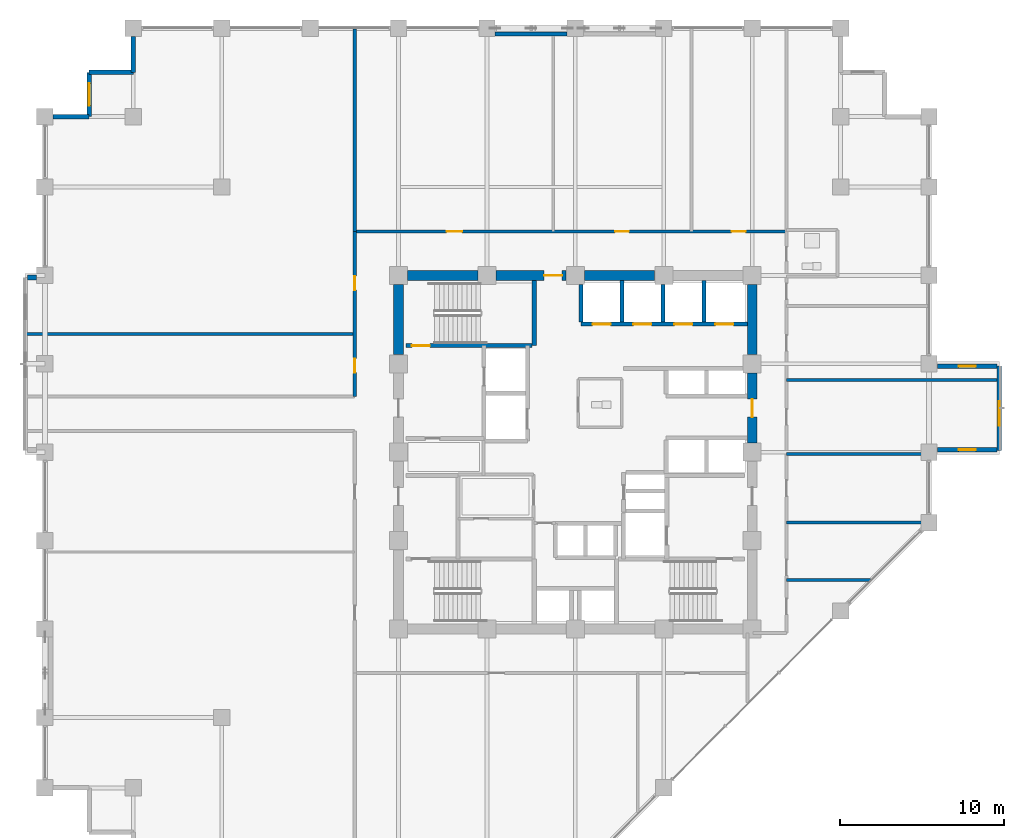
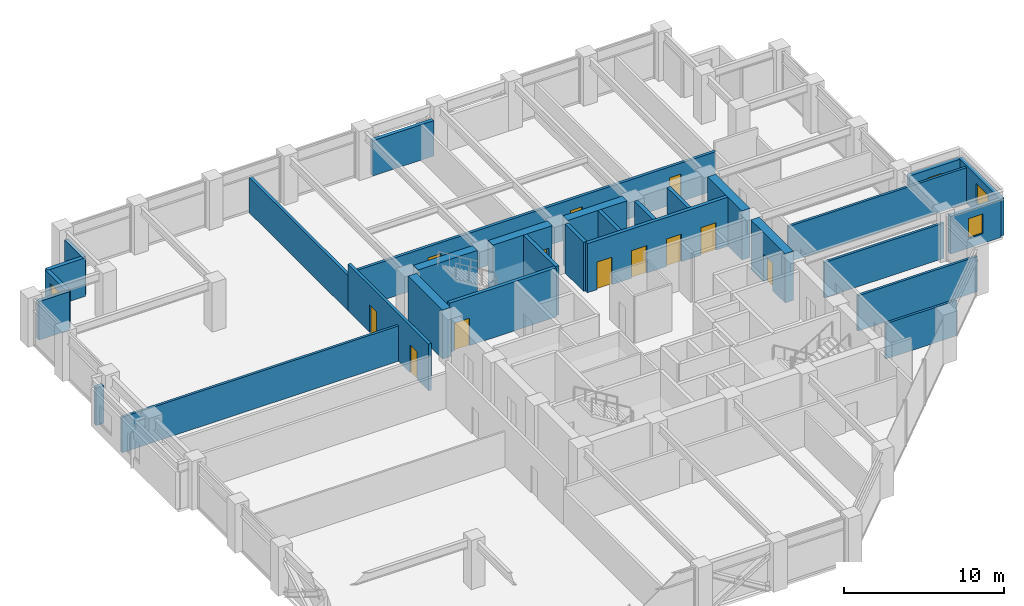
# One storey, part 20 of 25: 30 walls, 12 doors, 4 windows, 16 openings.
"""IFC4 building model written with IfcOpenShell, lengths in metres."""

from ifc_helpers import new_model, si_unit, direction, frame, frame_2d, origin, place, context, subcontext, project, spatial, rectangle, extrude, material, layer, layer_set, type_object, element, fill, save


model = new_model("IFC4")

# Units and contexts
model_context = context("Model", 3, precision=1e-05, world=origin(), true_north=direction((0.0, 1.0)))
body_context = subcontext(model_context, "Body", "Model", "MODEL_VIEW")
ifc_project = project(units=[si_unit("LENGTHUNIT", "METRE"), si_unit("AREAUNIT", "SQUARE_METRE"), si_unit("VOLUMEUNIT", "CUBIC_METRE"), si_unit("PLANEANGLEUNIT", "RADIAN"), si_unit("MASSUNIT", "GRAM", prefix="KILO")], contexts=[model_context])

# Site, building, storey
site_placement = place(None, origin())
site = spatial("IfcSite", under=ifc_project, at=site_placement, CompositionType="ELEMENT")
building_placement = place(site_placement, origin())
building = spatial("IfcBuilding", under=site, at=building_placement, Name="Surkhivell Harbour Commons", CompositionType="ELEMENT")
storey_placement = place(building_placement, frame((0.0, 0.0, 139.5)))
storey = spatial("IfcBuildingStorey", under=building, at=storey_placement, Name="L36", CompositionType="ELEMENT", Elevation=139.5)

# Wall
ifc_material_1 = material(Name="Concrete C60/75", Category="concrete")
ifc_layer_1 = layer(ifc_material_1, 0.60009765625)
ifc_layer_set_1 = layer_set([ifc_layer_1], Name="Concrete C60/75")
wall_type_1 = type_object("IfcWallType", Name="WAL-CORE-600", PredefinedType="SHEAR", material=ifc_layer_set_1)
wall_1_placement = place(storey_placement, frame((-10.239990234375, 10.800048828125, 0.0), z_axis=(0.0, 0.0, 1.0), x_axis=(1.0, 0.0, 0.0)))
element("IfcWall", 1, at=wall_1_placement, inside=storey, type_object=wall_type_1, Name="L36 Core Shear Wall North 1", PredefinedType="SHEAR", context=body_context, shape_type="SweptSolid", body=[
    extrude(rectangle(XDim=4.280029296875, YDim=0.60009765625, at=frame_2d((2.14013671875, 0.0))), origin(), (0.0, 0.0, 1.0), 3.75),
])

# Wall, opening, door
wall_2_placement = place(storey_placement, frame((-4.840087890625, 10.800048828125, 0.0), z_axis=(0.0, 0.0, 1.0), x_axis=(1.0, 0.0, 0.0)))
wall_2 = element("IfcWall", 2, at=wall_2_placement, inside=storey, type_object=wall_type_1, Name="L36 Core Shear Wall North 2", PredefinedType="SHEAR", context=body_context, shape_type="SweptSolid", body=[
    extrude(rectangle(XDim=4.280029296875, YDim=0.60009765625, at=frame_2d((2.14013671875, 0.0))), origin(), (0.0, 0.0, 1.0), 3.75),
])
opening_1_placement = place(wall_2_placement, frame((2.929931640625, 0.0, 0.0)))
opening_1 = element("IfcOpeningElement", 3, at=opening_1_placement, cuts=wall_2, Name="Opening ID-2", PredefinedType="OPENING", context=body_context, shape_type="SweptSolid", body=[
    extrude(rectangle(XDim=1.10009765625, YDim=2.10009765625, at=frame_2d((0.550048828125, 1.050048828125))), frame((0.0, 0.31005859375, 0.0), z_axis=(0.0, -1.0, 0.0), x_axis=(1.0, 0.0, 0.0)), (0.0, 0.0, 1.0), 0.6201171875),
])
ifc_material_2 = material(Name="Hardwood-veneered fire-rated door leaf", Category="wood")
door_type_1 = type_object("IfcDoorType", Name="DOR-FD60-1100", OperationType="NOTDEFINED", PredefinedType="DOOR", material=ifc_material_2)
door_1_placement = place(opening_1_placement, origin())
door_1 = element("IfcDoor", 4, at=door_1_placement, inside=storey, type_object=door_type_1, Name="L36 Central Core Lift Hall North Corridor Door", OperationType="SINGLE_SWING_LEFT", OverallHeight=2.10009765625, OverallWidth=1.10009765625, PredefinedType="DOOR", context=body_context, shape_type="SweptSolid", body=[
    extrude(rectangle(XDim=1.10009765625, YDim=2.10009765625, at=frame_2d((0.550048828125, 1.050048828125))), frame((0.0, 0.02490234375, 0.0), z_axis=(0.0, -1.0, 0.0), x_axis=(1.0, 0.0, 0.0)), (0.0, 0.0, 1.0), 0.050048828125),
])
fill(opening_1, door_1)

# Wall
wall_3_placement = place(storey_placement, frame((0.56005859375, 10.800048828125, 0.0), z_axis=(0.0, 0.0, 1.0), x_axis=(1.0, 0.0, 0.0)))
element("IfcWall", 5, at=wall_3_placement, inside=storey, type_object=wall_type_1, Name="L36 Core Shear Wall North 3", PredefinedType="SHEAR", context=body_context, shape_type="SweptSolid", body=[
    extrude(rectangle(XDim=4.280029296875, YDim=0.60009765625, at=frame_2d((2.14013671875, 0.0))), origin(), (0.0, 0.0, 1.0), 3.75),
])

# Wall, opening, door
wall_4_placement = place(storey_placement, frame((10.800048828125, 0.56005859375, 0.0), z_axis=(0.0, 0.0, 1.0), x_axis=(0.0, 1.0, 0.0)))
wall_4 = element("IfcWall", 6, at=wall_4_placement, inside=storey, type_object=wall_type_1, Name="L36 Core Shear Wall East 3", PredefinedType="SHEAR", context=body_context, shape_type="SweptSolid", body=[
    extrude(rectangle(XDim=4.280029296875, YDim=0.60009765625, at=frame_2d((2.14013671875, 0.0))), origin(), (0.0, 0.0, 1.0), 3.75),
])
opening_2_placement = place(wall_4_placement, frame((1.590087890625, 0.0, 0.0)))
opening_2 = element("IfcOpeningElement", 7, at=opening_2_placement, cuts=wall_4, Name="Opening ID-2", PredefinedType="OPENING", context=body_context, shape_type="SweptSolid", body=[
    extrude(rectangle(XDim=1.10009765625, YDim=2.10009765625, at=frame_2d((0.550048828125, 1.050048828125))), frame((0.0, 0.31005859375, 0.0), z_axis=(0.0, -1.0, 0.0), x_axis=(1.0, 0.0, 0.0)), (0.0, 0.0, 1.0), 0.6201171875),
])
door_2_placement = place(opening_2_placement, origin())
door_2 = element("IfcDoor", 8, at=door_2_placement, inside=storey, type_object=door_type_1, Name="L36 Mid-Rise Lobby East Door", OperationType="SINGLE_SWING_LEFT", OverallHeight=2.10009765625, OverallWidth=1.10009765625, PredefinedType="DOOR", context=body_context, shape_type="SweptSolid", body=[
    extrude(rectangle(XDim=1.10009765625, YDim=2.10009765625, at=frame_2d((0.550048828125, 1.050048828125))), frame((0.0, 0.02490234375, 0.0), z_axis=(0.0, -1.0, 0.0), x_axis=(1.0, 0.0, 0.0)), (0.0, 0.0, 1.0), 0.050048828125),
])
fill(opening_2, door_2)

# Walls
for number, where, z_axis, x_axis, name in (
    (9, (-10.800048828125, 5.9599609375, 0.0), (0.0, 0.0, 1.0), (0.0, 1.0, 0.0), "L36 Core Shear Wall West 4"),
    (10, (10.800048828125, 5.9599609375, 0.0), (0.0, 0.0, 1.0), (0.0, 1.0, 0.0), "L36 Core Shear Wall East 4"),
):
    element("IfcWall", number, at=place(storey_placement, frame(where, z_axis=z_axis, x_axis=x_axis)), inside=storey, type_object=wall_type_1, Name=name, PredefinedType="SHEAR", context=body_context, shape_type="SweptSolid", body=[
        extrude(rectangle(XDim=4.280029296875, YDim=0.60009765625, at=frame_2d((2.14013671875, 0.0))), origin(), (0.0, 0.0, 1.0), 3.75),
    ])
ifc_material_3 = material(Name="Flemish-bond kiln brick and precast concrete C45/55", Category="masonry")
ifc_layer_2 = layer(ifc_material_3, 0.300048828125)
ifc_layer_set_2 = layer_set([ifc_layer_2], Name="Flemish-bond kiln brick and precast concrete C45/55")
wall_type_2 = type_object("IfcWallType", Name="WAL-EXT-BRK300", PredefinedType="STANDARD", material=ifc_layer_set_2)
wall_5_placement = place(storey_placement, frame((-33.4599609375, 10.659912109375, 0.0), z_axis=(0.0, 0.0, 1.0), x_axis=(1.0, 0.0, 0.0)))
element("IfcWall", 11, at=wall_5_placement, inside=storey, type_object=wall_type_2, Name="L36 Coloured Box Return Wall 02N", PredefinedType="STANDARD", context=body_context, shape_type="SweptSolid", body=[
    extrude(rectangle(XDim=0.555908203125, YDim=0.300048828125, at=frame_2d((0.27783203125, 0.0))), origin(), (0.0, 0.0, 1.0), 2.85693359375),
])
ifc_material_4 = material(Name="Pale-metal insulated precast concrete C45/55", Category="concrete")
ifc_layer_3 = layer(ifc_material_4, 0.260009765625)
ifc_layer_set_3 = layer_set([ifc_layer_3], Name="Pale-metal insulated precast concrete C45/55")
wall_type_3 = type_object("IfcWallType", Name="WAL-EXT-MTL260", PredefinedType="STANDARD", material=ifc_layer_set_3)
wall_6_placement = place(storey_placement, frame((-0.498046875, 25.5400390625, 0.0), z_axis=(0.0, 0.0, 1.0), x_axis=(-1.0, 0.0, 0.0)))
element("IfcWall", 12, at=wall_6_placement, inside=storey, type_object=wall_type_3, Name="L36 Braced-Bay Insulated Spandrel Backing N", PredefinedType="STANDARD", context=body_context, shape_type="SweptSolid", body=[
    extrude(rectangle(XDim=4.404052734375, YDim=0.260009765625, at=frame_2d((2.2021484375, 0.0))), origin(), (0.0, 0.0, 1.0), 2.698974609375),
])

# Wall, opening, window
ifc_material_5 = material(Name="Terracotta-clad reinforced concrete C45/55", Category="masonry")
ifc_layer_4 = layer(ifc_material_5, 0.280029296875)
ifc_layer_set_4 = layer_set([ifc_layer_4], Name="Terracotta-clad reinforced concrete C45/55")
wall_type_4 = type_object("IfcWallType", Name="WAL-EXT-TER280", PredefinedType="STANDARD", material=ifc_layer_set_4)
wall_7_placement = place(storey_placement, frame((25.89990234375, 0.1201171875, 0.0), z_axis=(0.0, 0.0, 1.0), x_axis=(0.0, 1.0, 0.0)))
wall_7 = element("IfcWall", 13, at=wall_7_placement, inside=storey, type_object=wall_type_4, Name="L36 Coloured Box Front Wall 01", PredefinedType="STANDARD", context=body_context, shape_type="SweptSolid", body=[
    extrude(rectangle(XDim=5.159912109375, YDim=0.280029296875, at=frame_2d((2.580078125, 0.0))), origin(), (0.0, 0.0, 1.0), 2.85693359375),
])
opening_3_placement = place(wall_7_placement, frame((1.485107421875, 0.0, 0.75)))
opening_3 = element("IfcOpeningElement", 14, at=opening_3_placement, cuts=wall_7, Name="Opening WN-13", PredefinedType="OPENING", context=body_context, shape_type="SweptSolid", body=[
    extrude(rectangle(XDim=1.5, YDim=1.5, at=frame_2d((0.75, 0.75))), frame((0.0, 0.14990234375, 0.0), z_axis=(0.0, -1.0, 0.0), x_axis=(1.0, 0.0, 0.0)), (0.0, 0.0, 1.0), 0.300048828125),
])
ifc_material_6 = material(Name="Thermal-break aluminium frame and double low-E glazing", Category="aluminium")
window_type_1 = type_object("IfcWindowType", Name="WIN-BOX-1500x1500", PartitioningType="SINGLE_PANEL", PredefinedType="WINDOW", material=ifc_material_6)
window_1_placement = place(opening_3_placement, origin())
window_1 = element("IfcWindow", 15, at=window_1_placement, inside=storey, type_object=window_type_1, Name="L36 Coloured Box Square Window 01-1", OverallHeight=1.5, OverallWidth=1.5, PartitioningType="SINGLE_PANEL", PredefinedType="WINDOW", context=body_context, shape_type="SweptSolid", body=[
    extrude(rectangle(XDim=1.5, YDim=1.5, at=frame_2d((0.75, 0.75))), frame((0.0, 0.030029296875, 0.0), z_axis=(0.0, -1.0, 0.0), x_axis=(1.0, 0.0, 0.0)), (0.0, 0.0, 1.0), 0.06005859375),
])
fill(opening_3, window_1)

wall_8_placement = place(storey_placement, frame((22.10400390625, 0.139892578125, 0.0), z_axis=(0.0, 0.0, 1.0), x_axis=(1.0, 0.0, 0.0)))
wall_8 = element("IfcWall", 16, at=wall_8_placement, inside=storey, type_object=wall_type_4, Name="L36 Coloured Box Return Wall 01S", PredefinedType="STANDARD", context=body_context, shape_type="SweptSolid", body=[
    extrude(rectangle(XDim=3.656005859375, YDim=0.280029296875, at=frame_2d((1.828125, 0.0))), origin(), (0.0, 0.0, 1.0), 2.85693359375),
])
opening_4_placement = place(wall_8_placement, frame((1.302978515625, 0.0, 0.75)))
opening_4 = element("IfcOpeningElement", 17, at=opening_4_placement, cuts=wall_8, Name="Opening WN-11", PredefinedType="OPENING", context=body_context, shape_type="SweptSolid", body=[
    extrude(rectangle(XDim=1.050048828125, YDim=1.5, at=frame_2d((0.52490234375, 0.75))), frame((0.0, 0.14990234375, 0.0), z_axis=(0.0, -1.0, 0.0), x_axis=(1.0, 0.0, 0.0)), (0.0, 0.0, 1.0), 0.300048828125),
])
window_type_2 = type_object("IfcWindowType", Name="WIN-SER-1050x1500", PartitioningType="SINGLE_PANEL", PredefinedType="WINDOW", material=ifc_material_6)
window_2_placement = place(opening_4_placement, origin())
window_2 = element("IfcWindow", 18, at=window_2_placement, inside=storey, type_object=window_type_2, Name="L36 Coloured Box Return Window 01S", OverallHeight=1.5, OverallWidth=1.050048828125, PartitioningType="SINGLE_PANEL", PredefinedType="WINDOW", context=body_context, shape_type="SweptSolid", body=[
    extrude(rectangle(XDim=1.050048828125, YDim=1.5, at=frame_2d((0.52490234375, 0.75))), frame((0.0, 0.030029296875, 0.0), z_axis=(0.0, -1.0, 0.0), x_axis=(1.0, 0.0, 0.0)), (0.0, 0.0, 1.0), 0.06005859375),
])
fill(opening_4, window_2)

wall_9_placement = place(storey_placement, frame((22.10400390625, 5.260009765625, 0.0), z_axis=(0.0, 0.0, 1.0), x_axis=(1.0, 0.0, 0.0)))
wall_9 = element("IfcWall", 19, at=wall_9_placement, inside=storey, type_object=wall_type_4, Name="L36 Coloured Box Return Wall 01N", PredefinedType="STANDARD", context=body_context, shape_type="SweptSolid", body=[
    extrude(rectangle(XDim=3.656005859375, YDim=0.280029296875, at=frame_2d((1.828125, 0.0))), origin(), (0.0, 0.0, 1.0), 2.85693359375),
])
opening_5_placement = place(wall_9_placement, frame((1.302978515625, 0.0, 0.75)))
opening_5 = element("IfcOpeningElement", 20, at=opening_5_placement, cuts=wall_9, Name="Opening WN-11", PredefinedType="OPENING", context=body_context, shape_type="SweptSolid", body=[
    extrude(rectangle(XDim=1.050048828125, YDim=1.5, at=frame_2d((0.52490234375, 0.75))), frame((0.0, 0.14990234375, 0.0), z_axis=(0.0, -1.0, 0.0), x_axis=(1.0, 0.0, 0.0)), (0.0, 0.0, 1.0), 0.300048828125),
])
window_3_placement = place(opening_5_placement, origin())
window_3 = element("IfcWindow", 21, at=window_3_placement, inside=storey, type_object=window_type_2, Name="L36 Coloured Box Return Window 01N", OverallHeight=1.5, OverallWidth=1.050048828125, PartitioningType="SINGLE_PANEL", PredefinedType="WINDOW", context=body_context, shape_type="SweptSolid", body=[
    extrude(rectangle(XDim=1.050048828125, YDim=1.5, at=frame_2d((0.52490234375, 0.75))), frame((0.0, 0.030029296875, 0.0), z_axis=(0.0, -1.0, 0.0), x_axis=(1.0, 0.0, 0.0)), (0.0, 0.0, 1.0), 0.06005859375),
])
fill(opening_5, window_3)

# Walls
wall_10_placement = place(storey_placement, frame((-27.0, 25.402099609375, 0.0), z_axis=(0.0, 0.0, 1.0), x_axis=(0.0, -1.0, 0.0)))
element("IfcWall", 22, at=wall_10_placement, inside=storey, type_object=wall_type_4, Name="L36 Serrated Corner Facade Wall 08", PredefinedType="STANDARD", context=body_context, shape_type="SweptSolid", body=[
    extrude(rectangle(XDim=2.2021484375, YDim=0.280029296875, at=frame_2d((1.10107421875, 0.0))), origin(), (0.0, 0.0, 1.0), 2.93310546875),
])
wall_11_placement = place(storey_placement, frame((-27.0, 23.199951171875, 0.0), z_axis=(0.0, 0.0, 1.0), x_axis=(-1.0, 0.0, 0.0)))
element("IfcWall", 23, at=wall_11_placement, inside=storey, type_object=wall_type_4, Name="L36 Serrated Corner Facade Wall 09", PredefinedType="STANDARD", context=body_context, shape_type="SweptSolid", body=[
    extrude(rectangle(XDim=2.699951171875, YDim=0.280029296875, at=frame_2d((1.35009765625, 0.0))), origin(), (0.0, 0.0, 1.0), 2.93310546875),
])

# Wall, opening, window
wall_12_placement = place(storey_placement, frame((-29.699951171875, 23.199951171875, 0.0), z_axis=(0.0, 0.0, 1.0), x_axis=(0.0, -1.0, 0.0)))
wall_12 = element("IfcWall", 24, at=wall_12_placement, inside=storey, type_object=wall_type_4, Name="L36 Serrated Corner Facade Wall 10", PredefinedType="STANDARD", context=body_context, shape_type="SweptSolid", body=[
    extrude(rectangle(XDim=2.699951171875, YDim=0.280029296875, at=frame_2d((1.35009765625, 0.0))), origin(), (0.0, 0.0, 1.0), 2.93310546875),
])
opening_6_placement = place(wall_12_placement, frame((0.675048828125, 0.0, 0.64990234375)))
opening_6 = element("IfcOpeningElement", 25, at=opening_6_placement, cuts=wall_12, Name="Opening WN-08", PredefinedType="OPENING", context=body_context, shape_type="SweptSolid", body=[
    extrude(rectangle(XDim=1.35009765625, YDim=1.64990234375, at=frame_2d((0.675048828125, 0.824951171875))), frame((0.0, 0.14990234375, 0.0), z_axis=(0.0, -1.0, 0.0), x_axis=(1.0, 0.0, 0.0)), (0.0, 0.0, 1.0), 0.300048828125),
])
window_type_3 = type_object("IfcWindowType", Name="WIN-SER-1350x1650", PartitioningType="SINGLE_PANEL", PredefinedType="WINDOW", material=ifc_material_6)
window_4_placement = place(opening_6_placement, origin())
window_4 = element("IfcWindow", 26, at=window_4_placement, inside=storey, type_object=window_type_3, Name="L36 Serrated Alcove Window 10", OverallHeight=1.64990234375, OverallWidth=1.35009765625, PartitioningType="SINGLE_PANEL", PredefinedType="WINDOW", context=body_context, shape_type="SweptSolid", body=[
    extrude(rectangle(XDim=1.35009765625, YDim=1.64990234375, at=frame_2d((0.675048828125, 0.824951171875))), frame((0.0, 0.030029296875, 0.0), z_axis=(0.0, -1.0, 0.0), x_axis=(1.0, 0.0, 0.0)), (0.0, 0.0, 1.0), 0.06005859375),
])
fill(opening_6, window_4)

# Walls
wall_13_placement = place(storey_placement, frame((-29.699951171875, 20.5, 0.0), z_axis=(0.0, 0.0, 1.0), x_axis=(-1.0, 0.0, 0.0)))
element("IfcWall", 27, at=wall_13_placement, inside=storey, type_object=wall_type_4, Name="L36 Serrated Corner Facade Wall 11", PredefinedType="STANDARD", context=body_context, shape_type="SweptSolid", body=[
    extrude(rectangle(XDim=2.2021484375, YDim=0.280029296875, at=frame_2d((1.10107421875, 0.0))), origin(), (0.0, 0.0, 1.0), 2.93310546875),
])
ifc_material_7 = material(Name="High-density acoustic blockwork fire partition", Category="masonry")
ifc_layer_5 = layer(ifc_material_7, 0.175048828125)
ifc_layer_set_5 = layer_set([ifc_layer_5], Name="High-density acoustic blockwork fire partition")
wall_type_5 = type_object("IfcWallType", Name="WAL-INT-175", PredefinedType="PARTITIONING", material=ifc_layer_set_5)
wall_14_placement = place(storey_placement, frame((12.89990234375, -4.2900390625, 0.0), z_axis=(0.0, 0.0, 1.0), x_axis=(1.0, 0.0, 0.0)))
element("IfcWall", 28, at=wall_14_placement, inside=storey, type_object=wall_type_5, Name="L36 East Partition BDP1", PredefinedType="PARTITIONING", context=body_context, shape_type="SweptSolid", body=[
    extrude(rectangle(XDim=8.625244140625, YDim=0.175048828125, at=frame_2d((4.3125, 0.0))), origin(), (0.0, 0.0, 1.0), 2.698974609375),
])
wall_15_placement = place(storey_placement, frame((12.89990234375, -0.10009765625, 0.0), z_axis=(0.0, 0.0, 1.0), x_axis=(1.0, 0.0, 0.0)))
element("IfcWall", 29, at=wall_15_placement, inside=storey, type_object=wall_type_5, Name="L36 East Partition BDP2", PredefinedType="PARTITIONING", context=body_context, shape_type="SweptSolid", body=[
    extrude(rectangle(XDim=8.64013671875, YDim=0.175048828125, at=frame_2d((4.320068359375, 0.0))), origin(), (0.0, 0.0, 1.0), 2.698974609375),
])
wall_16_placement = place(storey_placement, frame((12.89990234375, 4.409912109375, 0.0), z_axis=(0.0, 0.0, 1.0), x_axis=(1.0, 0.0, 0.0)))
element("IfcWall", 30, at=wall_16_placement, inside=storey, type_object=wall_type_5, Name="L36 East Partition BDP3", PredefinedType="PARTITIONING", context=body_context, shape_type="SweptSolid", body=[
    extrude(rectangle(XDim=12.940185546875, YDim=0.175048828125, at=frame_2d((6.47021484375, 0.0))), origin(), (0.0, 0.0, 1.0), 2.698974609375),
])
wall_17_placement = place(storey_placement, frame((12.89990234375, -7.800048828125, 0.0), z_axis=(0.0, 0.0, 1.0), x_axis=(1.0, 0.0, 0.0)))
element("IfcWall", 31, at=wall_17_placement, inside=storey, type_object=wall_type_5, Name="L36 East Partition PBOT", PredefinedType="PARTITIONING", context=body_context, shape_type="SweptSolid", body=[
    extrude(rectangle(XDim=5.115234375, YDim=0.175048828125, at=frame_2d((2.5576171875, 0.0))), origin(), (0.0, 0.0, 1.0), 2.698974609375),
])
wall_18_placement = place(storey_placement, frame((-33.5400390625, 7.22998046875, 0.0), z_axis=(0.0, 0.0, 1.0), x_axis=(1.0, 0.0, 0.0)))
element("IfcWall", 32, at=wall_18_placement, inside=storey, type_object=wall_type_5, Name="L36 North-West Partition P1", PredefinedType="PARTITIONING", context=body_context, shape_type="SweptSolid", body=[
    extrude(rectangle(XDim=20.06005859375, YDim=0.175048828125, at=frame_2d((10.030029296875, 0.0))), origin(), (0.0, 0.0, 1.0), 2.698974609375),
])
ifc_material_8 = material(Name="Autoclaved aerated concrete blockwork and fire plaster", Category="masonry")
ifc_layer_6 = layer(ifc_material_8, 0.199951171875)
ifc_layer_set_6 = layer_set([ifc_layer_6], Name="Autoclaved aerated concrete blockwork and fire plaster")
wall_type_6 = type_object("IfcWallType", Name="WAL-INT-200", PredefinedType="PARTITIONING", material=ifc_layer_set_6)
wall_19_placement = place(storey_placement, frame((-13.47998046875, 13.47998046875, 0.0), z_axis=(0.0, 0.0, 1.0), x_axis=(0.0, 1.0, 0.0)))
element("IfcWall", 33, at=wall_19_placement, inside=storey, type_object=wall_type_6, Name="L36 North-West Wing Corner Divider", PredefinedType="PARTITIONING", context=body_context, shape_type="SweptSolid", body=[
    extrude(rectangle(XDim=12.360107421875, YDim=0.199951171875, at=frame_2d((6.18017578125, 0.0))), origin(), (0.0, 0.0, 1.0), 2.698974609375),
])

# Wall, openings, doors
wall_20_placement = place(storey_placement, frame((-13.47998046875, 13.47998046875, 0.0), z_axis=(0.0, 0.0, 1.0), x_axis=(1.0, 0.0, 0.0)))
wall_20 = element("IfcWall", 34, at=wall_20_placement, inside=storey, type_object=wall_type_6, Name="L36 Corridor North Wall", PredefinedType="PARTITIONING", context=body_context, shape_type="SweptSolid", body=[
    extrude(rectangle(XDim=26.3798828125, YDim=0.199951171875, at=frame_2d((13.18994140625, 0.0))), origin(), (0.0, 0.0, 1.0), 2.93310546875),
])
opening_7_placement = place(wall_20_placement, frame((5.614990234375, 0.0, 0.0)))
opening_7 = element("IfcOpeningElement", 35, at=opening_7_placement, cuts=wall_20, Name="Opening ID-4", PredefinedType="OPENING", context=body_context, shape_type="SweptSolid", body=[
    extrude(rectangle(XDim=0.949951171875, YDim=2.10009765625, at=frame_2d((0.47509765625, 1.050048828125))), frame((0.0, 0.10986328125, 0.0), z_axis=(0.0, -1.0, 0.0), x_axis=(1.0, 0.0, 0.0)), (0.0, 0.0, 1.0), 0.219970703125),
])
opening_8_placement = place(wall_20_placement, frame((15.905029296875, 0.0, 0.0)))
opening_8 = element("IfcOpeningElement", 36, at=opening_8_placement, cuts=wall_20, Name="Opening ID-6", PredefinedType="OPENING", context=body_context, shape_type="SweptSolid", body=[
    extrude(rectangle(XDim=0.85009765625, YDim=2.10009765625, at=frame_2d((0.425048828125, 1.050048828125))), frame((0.0, 0.10986328125, 0.0), z_axis=(0.0, -1.0, 0.0), x_axis=(1.0, 0.0, 0.0)), (0.0, 0.0, 1.0), 0.219970703125),
])
opening_9_placement = place(wall_20_placement, frame((23.030029296875, 0.0, 0.0)))
opening_9 = element("IfcOpeningElement", 37, at=opening_9_placement, cuts=wall_20, Name="Opening ID-6", PredefinedType="OPENING", context=body_context, shape_type="SweptSolid", body=[
    extrude(rectangle(XDim=0.85009765625, YDim=2.10009765625, at=frame_2d((0.425048828125, 1.050048828125))), frame((0.0, 0.10986328125, 0.0), z_axis=(0.0, -1.0, 0.0), x_axis=(1.0, 0.0, 0.0)), (0.0, 0.0, 1.0), 0.219970703125),
])
door_type_2 = type_object("IfcDoorType", Name="DOR-FD30-850", OperationType="NOTDEFINED", PredefinedType="DOOR", material=ifc_material_2)
door_3_placement = place(opening_8_placement, origin())
door_3 = element("IfcDoor", 38, at=door_3_placement, inside=storey, type_object=door_type_2, Name="L36 Harbour Social Lounge North Door", OperationType="SINGLE_SWING_LEFT", OverallHeight=2.10009765625, OverallWidth=0.85009765625, PredefinedType="DOOR", context=body_context, shape_type="SweptSolid", body=[
    extrude(rectangle(XDim=0.85009765625, YDim=2.10009765625, at=frame_2d((0.425048828125, 1.050048828125))), frame((0.0, 0.02490234375, 0.0), z_axis=(0.0, -1.0, 0.0), x_axis=(1.0, 0.0, 0.0)), (0.0, 0.0, 1.0), 0.050048828125),
])
fill(opening_8, door_3)
door_4_placement = place(opening_9_placement, origin())
door_4 = element("IfcDoor", 39, at=door_4_placement, inside=storey, type_object=door_type_2, Name="L36 Resident Social Lounge 3 North Door", OperationType="SINGLE_SWING_RIGHT", OverallHeight=2.10009765625, OverallWidth=0.85009765625, PredefinedType="DOOR", context=body_context, shape_type="SweptSolid", body=[
    extrude(rectangle(XDim=0.85009765625, YDim=2.10009765625, at=frame_2d((0.425048828125, 1.050048828125))), frame((0.0, 0.02490234375, 0.0), z_axis=(0.0, -1.0, 0.0), x_axis=(1.0, 0.0, 0.0)), (0.0, 0.0, 1.0), 0.050048828125),
])
fill(opening_9, door_4)
door_type_3 = type_object("IfcDoorType", Name="DOR-FD60-950", OperationType="NOTDEFINED", PredefinedType="DOOR", material=ifc_material_2)
door_5_placement = place(opening_7_placement, origin())
door_5 = element("IfcDoor", 40, at=door_5_placement, inside=storey, type_object=door_type_3, Name="L36 Harbour Social Lounge North Door", OperationType="SINGLE_SWING_RIGHT", OverallHeight=2.10009765625, OverallWidth=0.949951171875, PredefinedType="DOOR", context=body_context, shape_type="SweptSolid", body=[
    extrude(rectangle(XDim=0.949951171875, YDim=2.10009765625, at=frame_2d((0.47509765625, 1.050048828125))), frame((0.0, 0.02490234375, 0.0), z_axis=(0.0, -1.0, 0.0), x_axis=(1.0, 0.0, 0.0)), (0.0, 0.0, 1.0), 0.050048828125),
])
fill(opening_7, door_5)

wall_21_placement = place(storey_placement, frame((-13.47998046875, 3.39990234375, 0.0), z_axis=(0.0, 0.0, 1.0), x_axis=(0.0, 1.0, 0.0)))
wall_21 = element("IfcWall", 41, at=wall_21_placement, inside=storey, type_object=wall_type_6, Name="L36 Corridor West-Upper Wall", PredefinedType="PARTITIONING", context=body_context, shape_type="SweptSolid", body=[
    extrude(rectangle(XDim=10.080078125, YDim=0.199951171875, at=frame_2d((5.0400390625, 0.0))), origin(), (0.0, 0.0, 1.0), 3.570068359375),
])
opening_10_placement = place(wall_21_placement, frame((1.465087890625, 0.0, 0.0)))
opening_10 = element("IfcOpeningElement", 42, at=opening_10_placement, cuts=wall_21, Name="Opening ID-6", PredefinedType="OPENING", context=body_context, shape_type="SweptSolid", body=[
    extrude(rectangle(XDim=0.85009765625, YDim=2.10009765625, at=frame_2d((0.425048828125, 1.050048828125))), frame((0.0, 0.10986328125, 0.0), z_axis=(0.0, -1.0, 0.0), x_axis=(1.0, 0.0, 0.0)), (0.0, 0.0, 1.0), 0.219970703125),
])
opening_11_placement = place(wall_21_placement, frame((6.5048828125, 0.0, 0.0)))
opening_11 = element("IfcOpeningElement", 43, at=opening_11_placement, cuts=wall_21, Name="Opening ID-6", PredefinedType="OPENING", context=body_context, shape_type="SweptSolid", body=[
    extrude(rectangle(XDim=0.85009765625, YDim=2.10009765625, at=frame_2d((0.425048828125, 1.050048828125))), frame((0.0, 0.10986328125, 0.0), z_axis=(0.0, -1.0, 0.0), x_axis=(1.0, 0.0, 0.0)), (0.0, 0.0, 1.0), 0.219970703125),
])
door_6_placement = place(opening_10_placement, origin())
door_6 = element("IfcDoor", 44, at=door_6_placement, inside=storey, type_object=door_type_2, Name="L36 Harbour Reading Library North-West Door", OperationType="SINGLE_SWING_RIGHT", OverallHeight=2.10009765625, OverallWidth=0.85009765625, PredefinedType="DOOR", context=body_context, shape_type="SweptSolid", body=[
    extrude(rectangle(XDim=0.85009765625, YDim=2.10009765625, at=frame_2d((0.425048828125, 1.050048828125))), frame((0.0, 0.02490234375, 0.0), z_axis=(0.0, -1.0, 0.0), x_axis=(1.0, 0.0, 0.0)), (0.0, 0.0, 1.0), 0.050048828125),
])
fill(opening_10, door_6)
door_7_placement = place(opening_11_placement, origin())
door_7 = element("IfcDoor", 45, at=door_7_placement, inside=storey, type_object=door_type_2, Name="L36 Communal Dining Hall North-West Door", OperationType="SINGLE_SWING_LEFT", OverallHeight=2.10009765625, OverallWidth=0.85009765625, PredefinedType="DOOR", context=body_context, shape_type="SweptSolid", body=[
    extrude(rectangle(XDim=0.85009765625, YDim=2.10009765625, at=frame_2d((0.425048828125, 1.050048828125))), frame((0.0, 0.02490234375, 0.0), z_axis=(0.0, -1.0, 0.0), x_axis=(1.0, 0.0, 0.0)), (0.0, 0.0, 1.0), 0.050048828125),
])
fill(opening_11, door_7)

# Walls
ifc_material_9 = material(Name="Concrete C50/60", Category="concrete")
ifc_layer_7 = layer(ifc_material_9, 0.25)
ifc_layer_set_7 = layer_set([ifc_layer_7], Name="Concrete C50/60")
wall_type_7 = type_object("IfcWallType", Name="WAL-SHAFT-250", PredefinedType="SHEAR", material=ifc_layer_set_7)
wall_22_placement = place(storey_placement, frame((2.85009765625, 7.93994140625, 0.0), z_axis=(0.0, 0.0, 1.0), x_axis=(0.0, 1.0, 0.0)))
element("IfcWall", 46, at=wall_22_placement, inside=storey, type_object=wall_type_7, Name="L36 Low-Rise Hoistway Wall", PredefinedType="SHEAR", context=body_context, shape_type="SweptSolid", body=[
    extrude(rectangle(XDim=2.56005859375, YDim=0.25, at=frame_2d((1.280029296875, 0.0))), origin(), (0.0, 0.0, 1.0), 3.75),
])
for number, where, z_axis, x_axis, name in (
    (47, (0.35009765625, 7.93994140625, 0.0), (0.0, 0.0, 1.0), (0.0, 1.0, 0.0), "L36 Low-Rise Hoistway Wall"),
    (48, (5.35009765625, 7.93994140625, 0.0), (0.0, 0.0, 1.0), (0.0, 1.0, 0.0), "L36 Low-Rise Hoistway Wall"),
):
    element("IfcWall", number, at=place(storey_placement, frame(where, z_axis=z_axis, x_axis=x_axis)), inside=storey, type_object=wall_type_7, Name=name, PredefinedType="SHEAR", context=body_context, shape_type="SweptSolid", body=[
        extrude(rectangle(XDim=2.31005859375, YDim=0.25, at=frame_2d((1.155029296875, 0.0))), origin(), (0.0, 0.0, 1.0), 3.75),
    ])
wall_23_placement = place(storey_placement, frame((7.85009765625, 7.93994140625, 0.0), z_axis=(0.0, 0.0, 1.0), x_axis=(0.0, 1.0, 0.0)))
element("IfcWall", 49, at=wall_23_placement, inside=storey, type_object=wall_type_7, Name="L36 Low-Rise Hoistway Wall", PredefinedType="SHEAR", context=body_context, shape_type="SweptSolid", body=[
    extrude(rectangle(XDim=2.56005859375, YDim=0.25, at=frame_2d((1.280029296875, 0.0))), origin(), (0.0, 0.0, 1.0), 3.75),
])

# Wall, openings, doors
wall_24_placement = place(storey_placement, frame((0.35009765625, 7.820068359375, 0.0), z_axis=(0.0, 0.0, 1.0), x_axis=(1.0, 0.0, 0.0)))
wall_24 = element("IfcWall", 50, at=wall_24_placement, inside=storey, type_object=wall_type_7, Name="L36 Low-Rise Lift Front Shaft Wall", PredefinedType="SHEAR", context=body_context, shape_type="SweptSolid", body=[
    extrude(rectangle(XDim=10.14990234375, YDim=0.25, at=frame_2d((5.074951171875, 0.0))), origin(), (0.0, 0.0, 1.0), 3.75),
])
opening_12_placement = place(wall_24_placement, frame((0.699951171875, 0.0, 0.0)))
opening_12 = element("IfcOpeningElement", 51, at=opening_12_placement, cuts=wall_24, Name="Opening LD-1", PredefinedType="OPENING", context=body_context, shape_type="SweptSolid", body=[
    extrude(rectangle(XDim=1.10009765625, YDim=2.10009765625, at=frame_2d((0.550048828125, 1.050048828125))), frame((0.0, 0.135009765625, 0.0), z_axis=(0.0, -1.0, 0.0), x_axis=(1.0, 0.0, 0.0)), (0.0, 0.0, 1.0), 0.27001953125),
])
opening_13_placement = place(wall_24_placement, frame((3.199951171875, 0.0, 0.0)))
opening_13 = element("IfcOpeningElement", 52, at=opening_13_placement, cuts=wall_24, Name="Opening LD-1", PredefinedType="OPENING", context=body_context, shape_type="SweptSolid", body=[
    extrude(rectangle(XDim=1.10009765625, YDim=2.10009765625, at=frame_2d((0.550048828125, 1.050048828125))), frame((0.0, 0.135009765625, 0.0), z_axis=(0.0, -1.0, 0.0), x_axis=(1.0, 0.0, 0.0)), (0.0, 0.0, 1.0), 0.27001953125),
])
opening_14_placement = place(wall_24_placement, frame((5.699951171875, 0.0, 0.0)))
opening_14 = element("IfcOpeningElement", 53, at=opening_14_placement, cuts=wall_24, Name="Opening LD-1", PredefinedType="OPENING", context=body_context, shape_type="SweptSolid", body=[
    extrude(rectangle(XDim=1.10009765625, YDim=2.10009765625, at=frame_2d((0.550048828125, 1.050048828125))), frame((0.0, 0.135009765625, 0.0), z_axis=(0.0, -1.0, 0.0), x_axis=(1.0, 0.0, 0.0)), (0.0, 0.0, 1.0), 0.27001953125),
])
opening_15_placement = place(wall_24_placement, frame((8.199951171875, 0.0, 0.0)))
opening_15 = element("IfcOpeningElement", 54, at=opening_15_placement, cuts=wall_24, Name="Opening LD-1", PredefinedType="OPENING", context=body_context, shape_type="SweptSolid", body=[
    extrude(rectangle(XDim=1.10009765625, YDim=2.10009765625, at=frame_2d((0.550048828125, 1.050048828125))), frame((0.0, 0.135009765625, 0.0), z_axis=(0.0, -1.0, 0.0), x_axis=(1.0, 0.0, 0.0)), (0.0, 0.0, 1.0), 0.27001953125),
])
ifc_material_10 = material(Name="Brushed stainless steel S355", Category="steel")
door_type_4 = type_object("IfcDoorType", Name="DOR-LD-1100", OperationType="SLIDING_TO_LEFT", PredefinedType="DOOR", material=ifc_material_10)
door_8_placement = place(opening_12_placement, origin())
door_8 = element("IfcDoor", 55, at=door_8_placement, inside=storey, type_object=door_type_4, Name="L36 Lift Landing Door LD-PL1", OperationType="SLIDING_TO_LEFT", OverallHeight=2.10009765625, OverallWidth=1.10009765625, PredefinedType="DOOR", context=body_context, shape_type="SweptSolid", body=[
    extrude(rectangle(XDim=1.10009765625, YDim=2.10009765625, at=frame_2d((0.550048828125, 1.050048828125))), frame((0.0, 0.02490234375, 0.0), z_axis=(0.0, -1.0, 0.0), x_axis=(1.0, 0.0, 0.0)), (0.0, 0.0, 1.0), 0.050048828125),
])
fill(opening_12, door_8)
door_9_placement = place(opening_13_placement, origin())
door_9 = element("IfcDoor", 56, at=door_9_placement, inside=storey, type_object=door_type_4, Name="L36 Lift Landing Door LD-PL2", OperationType="SLIDING_TO_LEFT", OverallHeight=2.10009765625, OverallWidth=1.10009765625, PredefinedType="DOOR", context=body_context, shape_type="SweptSolid", body=[
    extrude(rectangle(XDim=1.10009765625, YDim=2.10009765625, at=frame_2d((0.550048828125, 1.050048828125))), frame((0.0, 0.02490234375, 0.0), z_axis=(0.0, -1.0, 0.0), x_axis=(1.0, 0.0, 0.0)), (0.0, 0.0, 1.0), 0.050048828125),
])
fill(opening_13, door_9)
door_10_placement = place(opening_14_placement, origin())
door_10 = element("IfcDoor", 57, at=door_10_placement, inside=storey, type_object=door_type_4, Name="L36 Lift Landing Door LD-PL3", OperationType="SLIDING_TO_LEFT", OverallHeight=2.10009765625, OverallWidth=1.10009765625, PredefinedType="DOOR", context=body_context, shape_type="SweptSolid", body=[
    extrude(rectangle(XDim=1.10009765625, YDim=2.10009765625, at=frame_2d((0.550048828125, 1.050048828125))), frame((0.0, 0.02490234375, 0.0), z_axis=(0.0, -1.0, 0.0), x_axis=(1.0, 0.0, 0.0)), (0.0, 0.0, 1.0), 0.050048828125),
])
fill(opening_14, door_10)
door_11_placement = place(opening_15_placement, origin())
door_11 = element("IfcDoor", 58, at=door_11_placement, inside=storey, type_object=door_type_4, Name="L36 Lift Landing Door LD-PL4", OperationType="SLIDING_TO_LEFT", OverallHeight=2.10009765625, OverallWidth=1.10009765625, PredefinedType="DOOR", context=body_context, shape_type="SweptSolid", body=[
    extrude(rectangle(XDim=1.10009765625, YDim=2.10009765625, at=frame_2d((0.550048828125, 1.050048828125))), frame((0.0, 0.02490234375, 0.0), z_axis=(0.0, -1.0, 0.0), x_axis=(1.0, 0.0, 0.0)), (0.0, 0.0, 1.0), 0.050048828125),
])
fill(opening_15, door_11)

# Wall
wall_25_placement = place(storey_placement, frame((-2.510009765625, 6.510009765625, 0.0), z_axis=(0.0, 0.0, 1.0), x_axis=(0.0, 1.0, 0.0)))
element("IfcWall", 59, at=wall_25_placement, inside=storey, type_object=wall_type_7, Name="L36 Stair ST1 East Shear Wall", PredefinedType="SHEAR", context=body_context, shape_type="SweptSolid", body=[
    extrude(rectangle(XDim=3.989990234375, YDim=0.25, at=frame_2d((1.9951171875, 0.0))), origin(), (0.0, 0.0, 1.0), 3.75),
])

# Wall, opening, door
wall_26_placement = place(storey_placement, frame((-10.340087890625, 6.510009765625, 0.0), z_axis=(0.0, 0.0, 1.0), x_axis=(1.0, 0.0, 0.0)))
wall_26 = element("IfcWall", 60, at=wall_26_placement, inside=storey, type_object=wall_type_7, Name="L36 Stair ST1 South Shear Wall", PredefinedType="SHEAR", context=body_context, shape_type="SweptSolid", body=[
    extrude(rectangle(XDim=7.7001953125, YDim=0.25, at=frame_2d((3.85009765625, 0.0))), origin(), (0.0, 0.0, 1.0), 3.75),
])
opening_16_placement = place(wall_26_placement, frame((0.35009765625, 0.0, 0.0)))
opening_16 = element("IfcOpeningElement", 61, at=opening_16_placement, cuts=wall_26, Name="Opening ID-2", PredefinedType="OPENING", context=body_context, shape_type="SweptSolid", body=[
    extrude(rectangle(XDim=1.10009765625, YDim=2.10009765625, at=frame_2d((0.550048828125, 1.050048828125))), frame((0.0, 0.135009765625, 0.0), z_axis=(0.0, -1.0, 0.0), x_axis=(1.0, 0.0, 0.0)), (0.0, 0.0, 1.0), 0.27001953125),
])
door_12_placement = place(opening_16_placement, origin())
door_12 = element("IfcDoor", 62, at=door_12_placement, inside=storey, type_object=door_type_1, Name="L36 Stair ST1 Exit Door", OperationType="SINGLE_SWING_LEFT", OverallHeight=2.10009765625, OverallWidth=1.10009765625, PredefinedType="DOOR", context=body_context, shape_type="SweptSolid", body=[
    extrude(rectangle(XDim=1.10009765625, YDim=2.10009765625, at=frame_2d((0.550048828125, 1.050048828125))), frame((0.0, 0.02490234375, 0.0), z_axis=(0.0, -1.0, 0.0), x_axis=(1.0, 0.0, 0.0)), (0.0, 0.0, 1.0), 0.050048828125),
])
fill(opening_16, door_12)

save(model, "model.ifc")
